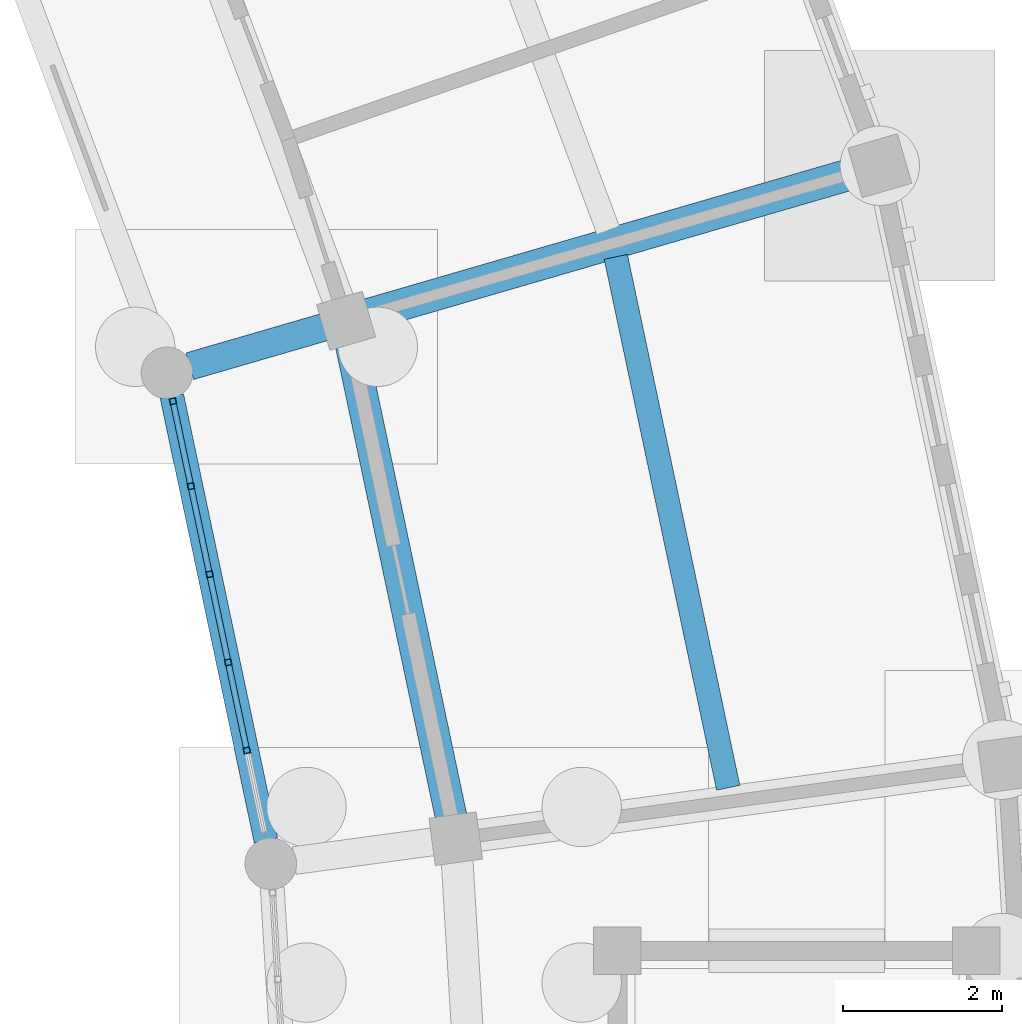
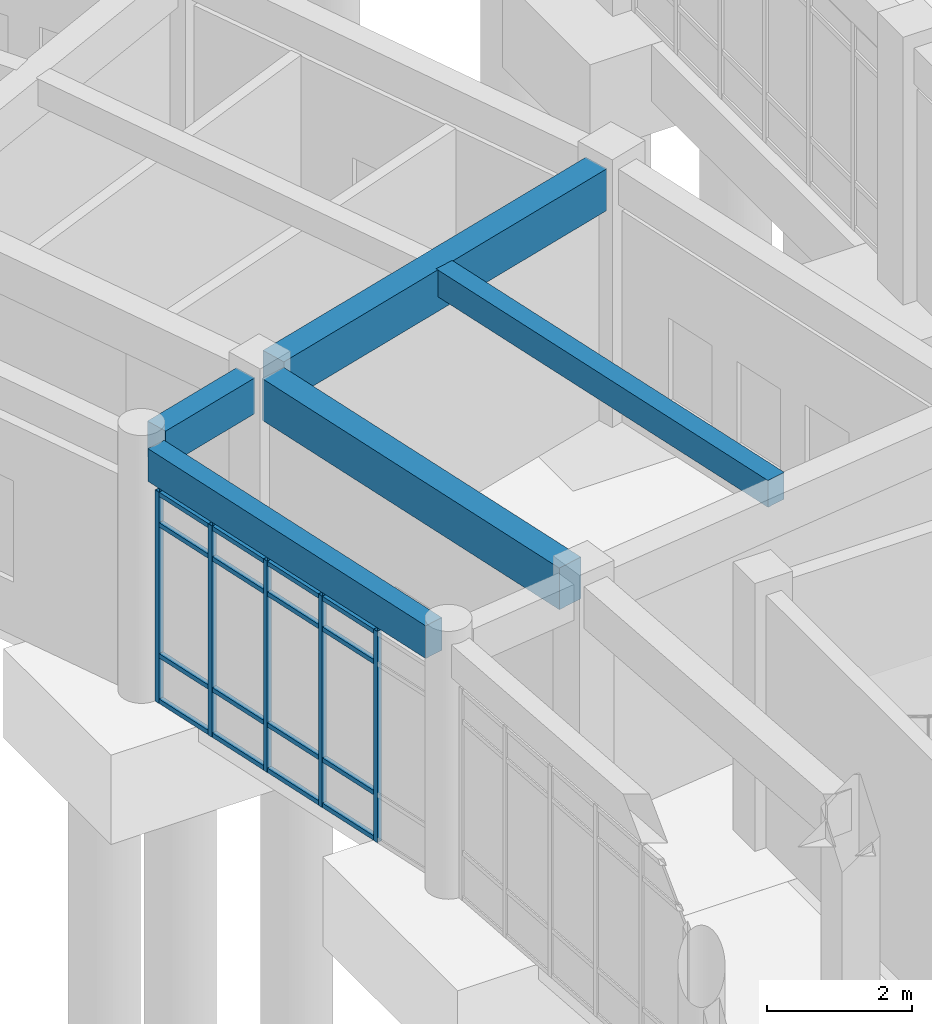
# One storey, part 91 of 153: 21 members, 5 beams, 1 element without a shape of its own.
"""IFC4 building model written with IfcOpenShell, lengths in metres."""

import ifcopenshell
import ifcopenshell.guid

model = None  # the IFC model being written
_history = None  # IfcOwnerHistory: only IFC2X3 demands one
_inside = {}  # id of a spatial element -> (the spatial element, [elements in it])
_under = {}  # id of a project, library or spatial element -> (it, [spatial elements below it])
_declared = {}  # id of a project -> (the project, [libraries it declares])
_typed = {}  # id of a type object -> (the type object, [elements of that type])
_made_of = {}  # id of a material, layer set ... -> (it, [elements and type objects made of it])


def new_model(schema):
    """Start an empty IFC model of exactly this schema.

    Asked for "IFC4X3", IfcOpenShell would pick the latest addendum, in which some entities
    have other attributes; the version numbers below select the first issue.
    IFC2X3 requires an IfcOwnerHistory on every rooted entity: one is made here for all.
    """
    global model, _history
    if schema == "IFC4X3":
        model = ifcopenshell.file(schema_version=(4, 3, 0, 0))
    else:
        model = ifcopenshell.file(schema=schema)
    _inside.clear()
    _under.clear()
    _declared.clear()
    _typed.clear()
    _made_of.clear()
    _history = None
    if model.schema == "IFC2X3":
        org = make("IfcOrganization", Name="unknown")
        user = make(
            "IfcPersonAndOrganization",
            ThePerson=make("IfcPerson", FamilyName="unknown"),
            TheOrganization=org,
        )
        app = make(
            "IfcApplication",
            ApplicationDeveloper=org,
            Version="unknown",
            ApplicationFullName="unknown",
            ApplicationIdentifier="unknown",
        )
        _history = make(
            "IfcOwnerHistory",
            OwningUser=user,
            OwningApplication=app,
            ChangeAction="ADDED",
            CreationDate=0,
        )
    return model


def make(cls, **values):
    """One entity of the class cls with the attributes given. An attribute that is None is left unset."""
    return model.create_entity(
        cls, **{name: value for name, value in values.items() if value is not None}
    )


def rooted(cls, **values):
    """An entity with a GlobalId (a new one), such as an element, a storey or a relation."""
    return make(cls, GlobalId=ifcopenshell.guid.new(), OwnerHistory=_history, **values)


def si_unit(unit_type, name, prefix=None):
    """IfcSIUnit, for example si_unit("LENGTHUNIT", "METRE", prefix="MILLI")."""
    return make("IfcSIUnit", UnitType=unit_type, Prefix=prefix, Name=name)


def assignment(units):
    """IfcUnitAssignment: the units of a project."""
    return None if units is None else make("IfcUnitAssignment", Units=units)


def point(xyz):
    """IfcCartesianPoint."""
    return None if xyz is None else make("IfcCartesianPoint", Coordinates=xyz)


def direction(xyz):
    """IfcDirection."""
    return None if xyz is None else make("IfcDirection", DirectionRatios=xyz)


def frame(location, z_axis=None, x_axis=None):
    """IfcAxis2Placement3D, a coordinate frame: its origin and axes. An axis left out is left unset."""
    return make(
        "IfcAxis2Placement3D",
        Location=point(location),
        Axis=direction(z_axis),
        RefDirection=direction(x_axis),
    )


def frame_2d(location, x_axis=None):
    """IfcAxis2Placement2D, a coordinate frame in the plane: its origin and x axis."""
    return make(
        "IfcAxis2Placement2D", Location=point(location), RefDirection=direction(x_axis)
    )


def origin():
    """The frame at (0, 0, 0) with its axes left unset."""
    return frame((0.0, 0.0, 0.0))


def origin_2d():
    """The frame at (0, 0) in the plane with its x axis left unset."""
    return frame_2d((0.0, 0.0))


def place(relative_to, where):
    """IfcLocalPlacement: puts the frame where relative to a parent placement (None: the world)."""
    return make(
        "IfcLocalPlacement", PlacementRelTo=relative_to, RelativePlacement=where
    )


def context(
    kind, dimensions, precision=None, world=None, true_north=None, identifier=None
):
    """IfcGeometricRepresentationContext, for example the 3D "Model" context."""
    return make(
        "IfcGeometricRepresentationContext",
        ContextIdentifier=identifier,
        ContextType=kind,
        CoordinateSpaceDimension=dimensions,
        Precision=precision,
        WorldCoordinateSystem=world,
        TrueNorth=true_north,
    )


def subcontext(parent, identifier, kind, view, scale=None):
    """IfcGeometricRepresentationSubContext, for example "Body" below "Model"."""
    return make(
        "IfcGeometricRepresentationSubContext",
        ContextIdentifier=identifier,
        ContextType=kind,
        ParentContext=parent,
        TargetScale=scale,
        TargetView=view,
    )


def project(units=None, contexts=None):
    """IfcProject with its units and contexts."""
    return rooted(
        "IfcProject",
        Name="project",
        RepresentationContexts=contexts,
        UnitsInContext=assignment(units),
    )


def spatial(cls, under=None, at=None, **own):
    """A site, building, storey or space (cls), placed at a placement, below another one or the project."""
    s = rooted(cls, ObjectPlacement=at, **own)
    if under is not None:
        _under.setdefault(under.id(), (under, []))[1].append(s)
    return s


def profile(cls, at=None, kind="AREA", **sizes):
    """A parametric profile (cls). Its sizes go by their IFC names, for example OverallWidth=200.0."""
    return make(cls, ProfileType=kind, Position=at, **sizes)


def rectangle(**sizes):
    """IfcRectangleProfileDef."""
    return profile("IfcRectangleProfileDef", **sizes)


def hollow_rectangle(**sizes):
    """IfcRectangleHollowProfileDef."""
    return profile("IfcRectangleHollowProfileDef", **sizes)


def extrude(swept, where, along, depth):
    """IfcExtrudedAreaSolid: the profile swept, set in the frame where, extruded along a direction by depth."""
    return make(
        "IfcExtrudedAreaSolid",
        SweptArea=swept,
        Position=where,
        ExtrudedDirection=direction(along),
        Depth=depth,
    )


def shape(context_of_items, identifier, shape_type, items):
    """IfcShapeRepresentation: the items that make up one representation, for example the "Body"."""
    return make(
        "IfcShapeRepresentation",
        ContextOfItems=context_of_items,
        RepresentationIdentifier=identifier,
        RepresentationType=shape_type,
        Items=items,
    )


def material(Name=None, Category=None):
    """IfcMaterial."""
    return make("IfcMaterial", Name=Name, Category=Category)


def material_profile(
    of_material, cross_section, Name=None, Category=None, Priority=None
):
    """IfcMaterialProfile: a cross section and its material."""
    return make(
        "IfcMaterialProfile",
        Name=Name,
        Material=of_material,
        Profile=cross_section,
        Priority=Priority,
        Category=Category,
    )


def profile_set(profiles, Name=None, composite=None):
    """IfcMaterialProfileSet."""
    return make(
        "IfcMaterialProfileSet",
        Name=Name,
        MaterialProfiles=profiles,
        CompositeProfile=composite,
    )


def made_of(thing, what):
    """Note that an element or type object is made of a material, layer set ...; save() writes the relation."""
    if what is not None:
        _made_of.setdefault(what.id(), (what, []))[1].append(thing)
    return thing


def type_object(cls, material=None, **own):
    """A type object (cls), such as IfcWallType, which elements share."""
    return made_of(rooted(cls, **own), material)


def element(
    cls,
    number,
    at=None,
    inside=None,
    cuts=None,
    type_object=None,
    material=None,
    context=None,
    identifier="Body",
    shape_type=None,
    held_by="IfcProductDefinitionShape",
    body=None,
    shapes=None,
    **own,
):
    """One element of the class cls, such as IfcWall. Its Tag is "e" and its number.

    at: its placement. inside: the storey or other place that contains it. cuts: it is an
    opening in that element (IfcRelVoidsElement). A single representation is given by context,
    identifier, shape_type and body (its items); several are given by shapes. held_by: the class
    of the entity that holds the representations. save() writes the other relations.
    """
    e = rooted(cls, Tag="e%d" % number, ObjectPlacement=at, **own)
    if body is not None:
        shapes = [shape(context, identifier, shape_type, body)]
    if shapes is not None:
        e.Representation = make(held_by, Representations=shapes)
    if inside is not None:
        _inside.setdefault(inside.id(), (inside, []))[1].append(e)
    if cuts is not None:
        rooted(
            "IfcRelVoidsElement", RelatingBuildingElement=cuts, RelatedOpeningElement=e
        )
    if type_object is not None:
        _typed.setdefault(type_object.id(), (type_object, []))[1].append(e)
    return made_of(e, material)


def aggregate(whole, parts):
    """IfcRelAggregates: a whole, such as a stair, and the parts it consists of."""
    return rooted("IfcRelAggregates", RelatingObject=whole, RelatedObjects=parts)


def save(model, path):
    """Write the relations noted so far, then the file.

    IfcRelAggregates (storeys below a building ...), IfcRelContainedInSpatialStructure (elements
    in a storey), IfcRelDefinesByType, IfcRelAssociatesMaterial and IfcRelDeclares: one each for
    every whole, place, type object, material and project.
    """
    for whole, parts in _under.values():
        aggregate(whole, parts)
    for where, things in _inside.values():
        rooted(
            "IfcRelContainedInSpatialStructure",
            RelatedElements=things,
            RelatingStructure=where,
        )
    for kind, things in _typed.values():
        rooted("IfcRelDefinesByType", RelatedObjects=things, RelatingType=kind)
    for what, things in _made_of.values():
        rooted("IfcRelAssociatesMaterial", RelatedObjects=things, RelatingMaterial=what)
    for by, libraries in _declared.values():
        rooted("IfcRelDeclares", RelatingContext=by, RelatedDefinitions=libraries)
    model.write(path)


model = new_model("IFC4")

# Units and contexts
model_context = context("Model", 3, precision=1e-05, world=origin(), true_north=direction((0.0, 1.0)))
body_context = subcontext(model_context, "Body", "Model", "MODEL_VIEW")
ifc_project = project(units=[si_unit("LENGTHUNIT", "METRE"), si_unit("AREAUNIT", "SQUARE_METRE"), si_unit("VOLUMEUNIT", "CUBIC_METRE"), si_unit("PLANEANGLEUNIT", "RADIAN"), si_unit("MASSUNIT", "GRAM", prefix="KILO")], contexts=[model_context])

# Site, building, storey
site_placement = place(None, origin())
site = spatial("IfcSite", under=ifc_project, at=site_placement, CompositionType="ELEMENT")
building_placement = place(site_placement, origin())
building = spatial("IfcBuilding", under=site, at=building_placement, Name="Celadon Cloister-Ring School", CompositionType="ELEMENT")
storey_placement = place(building_placement, origin())
storey = spatial("IfcBuildingStorey", under=building, at=storey_placement, Name="L00", CompositionType="ELEMENT", Elevation=0.0)

# Beam
ifc_material_1 = material(Name="Concrete C35/45", Category="concrete")
ifc_material_profile_1 = material_profile(ifc_material_1, rectangle(XDim=0.35009765625, YDim=0.60009765625, at=origin_2d()), Name="RC350X600")
ifc_profile_set_1 = profile_set([ifc_material_profile_1], Name="Concrete C35/45")
beam_type_1 = type_object("IfcBeamType", Name="BT-02", PredefinedType="BEAM", material=ifc_profile_set_1)
beam_1_placement = place(storey_placement, frame((129.948974609375, 71.47802734375, 3.97998046875), z_axis=(-0.960278457091, -0.279043517836, 0.0), x_axis=(0.279043517836, -0.960278457091, 0.0)))
element("IfcBeam", 1, at=beam_1_placement, inside=storey, type_object=beam_type_1, Name="Beam 0058", PredefinedType="BEAM", context=body_context, shape_type="SweptSolid", body=[
    extrude(rectangle(XDim=0.35009765625, YDim=0.60009765625, at=origin_2d()), origin(), (0.0, 0.0, 1.0), 1.7744140625),
])

# Curtain wall, members
ifc_material_2 = material(Name="Aluminium EN AW-6063 T6", Category="aluminium")
curtain_wall_type = type_object("IfcCurtainWallType", Name="CW-01", PredefinedType="USERDEFINED", material=ifc_material_2)
curtain_wall_placement = place(storey_placement, origin())
curtain_wall = element("IfcCurtainWall", 2, at=curtain_wall_placement, inside=storey, type_object=curtain_wall_type, Name="Curtain Wall 0018", ObjectType="CURTAIN WALL", PredefinedType="USERDEFINED")
ifc_material_3 = material(Name="Aluminium EN AW-6063 T6", Category="aluminium")
ifc_material_profile_2 = material_profile(ifc_material_3, hollow_rectangle(XDim=0.080078125, YDim=0.080078125, WallThickness=0.00390625, at=origin_2d()), Name="RHS80X80X4")
ifc_profile_set_2 = profile_set([ifc_material_profile_2], Name="Aluminium EN AW-6063 T6")
member_type_1 = type_object("IfcMemberType", Name="CM-03", PredefinedType="MULLION", material=ifc_profile_set_2)
member_1_placement = place(storey_placement, frame((128.963134765625, 66.144287109375, 0.0), z_axis=(0.0, 0.0, 1.0), x_axis=(-0.978320844999, -0.207094964304, 0.0)))
member_1 = element("IfcMember", 3, at=member_1_placement, type_object=member_type_1, Name="CW-01 mullion 2", PredefinedType="MULLION", context=body_context, shape_type="SweptSolid", body=[
    extrude(hollow_rectangle(XDim=0.080078125, YDim=0.080078125, WallThickness=0.00390625, at=origin_2d()), origin(), (0.0, 0.0, 1.0), 3.550048828125),
])
member_2_placement = place(storey_placement, frame((128.728515625, 67.25341796875, 0.0), z_axis=(0.0, 0.0, 1.0), x_axis=(-0.978320844999, -0.207094964304, 0.0)))
member_2 = element("IfcMember", 4, at=member_2_placement, type_object=member_type_1, Name="CW-01 mullion 3", PredefinedType="MULLION", context=body_context, shape_type="SweptSolid", body=[
    extrude(hollow_rectangle(XDim=0.080078125, YDim=0.080078125, WallThickness=0.00390625, at=origin_2d()), origin(), (0.0, 0.0, 1.0), 3.550048828125),
])
member_3_placement = place(storey_placement, frame((128.49365234375, 68.362548828125, 0.0), z_axis=(0.0, 0.0, 1.0), x_axis=(-0.978320844999, -0.207094964304, 0.0)))
member_3 = element("IfcMember", 5, at=member_3_placement, type_object=member_type_1, Name="CW-01 mullion 4", PredefinedType="MULLION", context=body_context, shape_type="SweptSolid", body=[
    extrude(hollow_rectangle(XDim=0.080078125, YDim=0.080078125, WallThickness=0.00390625, at=origin_2d()), origin(), (0.0, 0.0, 1.0), 3.550048828125),
])
member_4_placement = place(storey_placement, frame((128.2587890625, 69.4716796875, 0.0), z_axis=(0.0, 0.0, 1.0), x_axis=(-0.978320844999, -0.207094964304, 0.0)))
member_4 = element("IfcMember", 6, at=member_4_placement, type_object=member_type_1, Name="CW-01 mullion 5", PredefinedType="MULLION", context=body_context, shape_type="SweptSolid", body=[
    extrude(hollow_rectangle(XDim=0.080078125, YDim=0.080078125, WallThickness=0.00390625, at=origin_2d()), origin(), (0.0, 0.0, 1.0), 3.550048828125),
])
member_5_placement = place(storey_placement, frame((128.0322265625, 70.541748046875, 0.0), z_axis=(0.0, 0.0, 1.0), x_axis=(-0.978320844999, -0.207094964304, 0.0)))
member_5 = element("IfcMember", 7, at=member_5_placement, type_object=member_type_1, Name="CW-01 mullion 6", PredefinedType="MULLION", context=body_context, shape_type="SweptSolid", body=[
    extrude(hollow_rectangle(XDim=0.080078125, YDim=0.080078125, WallThickness=0.00390625, at=origin_2d()), origin(), (0.0, 0.0, 1.0), 3.550048828125),
])
ifc_material_4 = material(Name="Aluminium EN AW-6063 T6", Category="aluminium")
ifc_material_profile_3 = material_profile(ifc_material_4, hollow_rectangle(XDim=0.074951171875, YDim=0.074951171875, WallThickness=0.00390625, at=origin_2d()), Name="RHS75X75X4")
ifc_profile_set_3 = profile_set([ifc_material_profile_3], Name="Aluminium EN AW-6063 T6")
member_type_2 = type_object("IfcMemberType", Name="CTM-03", PredefinedType="USERDEFINED", material=ifc_profile_set_3)
member_6_placement = place(storey_placement, frame((128.954833984375, 66.183349609375, 0.03759765625), z_axis=(-0.207107837816, 0.978318119793, 0.0), x_axis=(-0.978318119793, -0.207107837816, 0.0)))
member_6 = element("IfcMember", 8, at=member_6_placement, type_object=member_type_2, Name="CW-01 transom 2.1", ObjectType="TRANSOM", PredefinedType="USERDEFINED", context=body_context, shape_type="SweptSolid", body=[
    extrude(hollow_rectangle(XDim=0.074951171875, YDim=0.074951171875, WallThickness=0.00390625, at=origin_2d()), origin(), (0.0, 0.0, 1.0), 1.053955078125),
])
member_7_placement = place(storey_placement, frame((128.954833984375, 66.183349609375, 0.800048828125), z_axis=(-0.207107837816, 0.978318119793, 0.0), x_axis=(-0.978318119793, -0.207107837816, 0.0)))
member_7 = element("IfcMember", 9, at=member_7_placement, type_object=member_type_2, Name="CW-01 transom 2.2", ObjectType="TRANSOM", PredefinedType="USERDEFINED", context=body_context, shape_type="SweptSolid", body=[
    extrude(hollow_rectangle(XDim=0.074951171875, YDim=0.074951171875, WallThickness=0.00390625, at=origin_2d()), origin(), (0.0, 0.0, 1.0), 1.053955078125),
])
member_8_placement = place(storey_placement, frame((128.954833984375, 66.183349609375, 3.0), z_axis=(-0.207107837816, 0.978318119793, 0.0), x_axis=(-0.978318119793, -0.207107837816, 0.0)))
member_8 = element("IfcMember", 10, at=member_8_placement, type_object=member_type_2, Name="CW-01 transom 2.3", ObjectType="TRANSOM", PredefinedType="USERDEFINED", context=body_context, shape_type="SweptSolid", body=[
    extrude(hollow_rectangle(XDim=0.074951171875, YDim=0.074951171875, WallThickness=0.00390625, at=origin_2d()), origin(), (0.0, 0.0, 1.0), 1.053955078125),
])
member_9_placement = place(storey_placement, frame((128.954833984375, 66.183349609375, 3.512451171875), z_axis=(-0.207107837816, 0.978318119793, 0.0), x_axis=(-0.978318119793, -0.207107837816, 0.0)))
member_9 = element("IfcMember", 11, at=member_9_placement, type_object=member_type_2, Name="CW-01 transom 2.4", ObjectType="TRANSOM", PredefinedType="USERDEFINED", context=body_context, shape_type="SweptSolid", body=[
    extrude(hollow_rectangle(XDim=0.074951171875, YDim=0.074951171875, WallThickness=0.00390625, at=origin_2d()), origin(), (0.0, 0.0, 1.0), 1.053955078125),
])
member_10_placement = place(storey_placement, frame((128.72021484375, 67.29248046875, 0.03759765625), z_axis=(-0.207107837816, 0.978318119793, 0.0), x_axis=(-0.978318119793, -0.207107837816, 0.0)))
member_10 = element("IfcMember", 12, at=member_10_placement, type_object=member_type_2, Name="CW-01 transom 3.1", ObjectType="TRANSOM", PredefinedType="USERDEFINED", context=body_context, shape_type="SweptSolid", body=[
    extrude(hollow_rectangle(XDim=0.074951171875, YDim=0.074951171875, WallThickness=0.00390625, at=origin_2d()), origin(), (0.0, 0.0, 1.0), 1.053955078125),
])
member_11_placement = place(storey_placement, frame((128.72021484375, 67.29248046875, 0.800048828125), z_axis=(-0.207107837816, 0.978318119793, 0.0), x_axis=(-0.978318119793, -0.207107837816, 0.0)))
member_11 = element("IfcMember", 13, at=member_11_placement, type_object=member_type_2, Name="CW-01 transom 3.2", ObjectType="TRANSOM", PredefinedType="USERDEFINED", context=body_context, shape_type="SweptSolid", body=[
    extrude(hollow_rectangle(XDim=0.074951171875, YDim=0.074951171875, WallThickness=0.00390625, at=origin_2d()), origin(), (0.0, 0.0, 1.0), 1.053955078125),
])
member_12_placement = place(storey_placement, frame((128.72021484375, 67.29248046875, 3.0), z_axis=(-0.207107837816, 0.978318119793, 0.0), x_axis=(-0.978318119793, -0.207107837816, 0.0)))
member_12 = element("IfcMember", 14, at=member_12_placement, type_object=member_type_2, Name="CW-01 transom 3.3", ObjectType="TRANSOM", PredefinedType="USERDEFINED", context=body_context, shape_type="SweptSolid", body=[
    extrude(hollow_rectangle(XDim=0.074951171875, YDim=0.074951171875, WallThickness=0.00390625, at=origin_2d()), origin(), (0.0, 0.0, 1.0), 1.053955078125),
])
member_13_placement = place(storey_placement, frame((128.72021484375, 67.29248046875, 3.512451171875), z_axis=(-0.207107837816, 0.978318119793, 0.0), x_axis=(-0.978318119793, -0.207107837816, 0.0)))
member_13 = element("IfcMember", 15, at=member_13_placement, type_object=member_type_2, Name="CW-01 transom 3.4", ObjectType="TRANSOM", PredefinedType="USERDEFINED", context=body_context, shape_type="SweptSolid", body=[
    extrude(hollow_rectangle(XDim=0.074951171875, YDim=0.074951171875, WallThickness=0.00390625, at=origin_2d()), origin(), (0.0, 0.0, 1.0), 1.053955078125),
])
member_14_placement = place(storey_placement, frame((128.4853515625, 68.401611328125, 0.03759765625), z_axis=(-0.207107837816, 0.978318119793, 0.0), x_axis=(-0.978318119793, -0.207107837816, 0.0)))
member_14 = element("IfcMember", 16, at=member_14_placement, type_object=member_type_2, Name="CW-01 transom 4.1", ObjectType="TRANSOM", PredefinedType="USERDEFINED", context=body_context, shape_type="SweptSolid", body=[
    extrude(hollow_rectangle(XDim=0.074951171875, YDim=0.074951171875, WallThickness=0.00390625, at=origin_2d()), origin(), (0.0, 0.0, 1.0), 1.053955078125),
])
member_15_placement = place(storey_placement, frame((128.4853515625, 68.401611328125, 0.800048828125), z_axis=(-0.207107837816, 0.978318119793, 0.0), x_axis=(-0.978318119793, -0.207107837816, 0.0)))
member_15 = element("IfcMember", 17, at=member_15_placement, type_object=member_type_2, Name="CW-01 transom 4.2", ObjectType="TRANSOM", PredefinedType="USERDEFINED", context=body_context, shape_type="SweptSolid", body=[
    extrude(hollow_rectangle(XDim=0.074951171875, YDim=0.074951171875, WallThickness=0.00390625, at=origin_2d()), origin(), (0.0, 0.0, 1.0), 1.053955078125),
])
member_16_placement = place(storey_placement, frame((128.4853515625, 68.401611328125, 3.0), z_axis=(-0.207107837816, 0.978318119793, 0.0), x_axis=(-0.978318119793, -0.207107837816, 0.0)))
member_16 = element("IfcMember", 18, at=member_16_placement, type_object=member_type_2, Name="CW-01 transom 4.3", ObjectType="TRANSOM", PredefinedType="USERDEFINED", context=body_context, shape_type="SweptSolid", body=[
    extrude(hollow_rectangle(XDim=0.074951171875, YDim=0.074951171875, WallThickness=0.00390625, at=origin_2d()), origin(), (0.0, 0.0, 1.0), 1.053955078125),
])
member_17_placement = place(storey_placement, frame((128.4853515625, 68.401611328125, 3.512451171875), z_axis=(-0.207107837816, 0.978318119793, 0.0), x_axis=(-0.978318119793, -0.207107837816, 0.0)))
member_17 = element("IfcMember", 19, at=member_17_placement, type_object=member_type_2, Name="CW-01 transom 4.4", ObjectType="TRANSOM", PredefinedType="USERDEFINED", context=body_context, shape_type="SweptSolid", body=[
    extrude(hollow_rectangle(XDim=0.074951171875, YDim=0.074951171875, WallThickness=0.00390625, at=origin_2d()), origin(), (0.0, 0.0, 1.0), 1.053955078125),
])
member_18_placement = place(storey_placement, frame((128.25048828125, 69.510986328125, 0.03759765625), z_axis=(-0.20712705188, 0.97831405202, 0.0), x_axis=(-0.97831405202, -0.20712705188, 0.0)))
member_18 = element("IfcMember", 20, at=member_18_placement, type_object=member_type_2, Name="CW-01 transom 5.1", ObjectType="TRANSOM", PredefinedType="USERDEFINED", context=body_context, shape_type="SweptSolid", body=[
    extrude(hollow_rectangle(XDim=0.074951171875, YDim=0.074951171875, WallThickness=0.00390625, at=origin_2d()), origin(), (0.0, 0.0, 1.0), 1.013671875),
])
member_19_placement = place(storey_placement, frame((128.25048828125, 69.510986328125, 0.800048828125), z_axis=(-0.20712705188, 0.97831405202, 0.0), x_axis=(-0.97831405202, -0.20712705188, 0.0)))
member_19 = element("IfcMember", 21, at=member_19_placement, type_object=member_type_2, Name="CW-01 transom 5.2", ObjectType="TRANSOM", PredefinedType="USERDEFINED", context=body_context, shape_type="SweptSolid", body=[
    extrude(hollow_rectangle(XDim=0.074951171875, YDim=0.074951171875, WallThickness=0.00390625, at=origin_2d()), origin(), (0.0, 0.0, 1.0), 1.013671875),
])
member_20_placement = place(storey_placement, frame((128.25048828125, 69.510986328125, 3.0), z_axis=(-0.20712705188, 0.97831405202, 0.0), x_axis=(-0.97831405202, -0.20712705188, 0.0)))
member_20 = element("IfcMember", 22, at=member_20_placement, type_object=member_type_2, Name="CW-01 transom 5.3", ObjectType="TRANSOM", PredefinedType="USERDEFINED", context=body_context, shape_type="SweptSolid", body=[
    extrude(hollow_rectangle(XDim=0.074951171875, YDim=0.074951171875, WallThickness=0.00390625, at=origin_2d()), origin(), (0.0, 0.0, 1.0), 1.013671875),
])
member_21_placement = place(storey_placement, frame((128.25048828125, 69.510986328125, 3.512451171875), z_axis=(-0.20712705188, 0.97831405202, 0.0), x_axis=(-0.97831405202, -0.20712705188, 0.0)))
member_21 = element("IfcMember", 23, at=member_21_placement, type_object=member_type_2, Name="CW-01 transom 5.4", ObjectType="TRANSOM", PredefinedType="USERDEFINED", context=body_context, shape_type="SweptSolid", body=[
    extrude(hollow_rectangle(XDim=0.074951171875, YDim=0.074951171875, WallThickness=0.00390625, at=origin_2d()), origin(), (0.0, 0.0, 1.0), 1.013671875),
])
aggregate(curtain_wall, [member_1, member_2, member_3, member_4, member_5, member_6, member_7, member_8, member_9, member_10, member_11, member_12, member_13, member_14, member_15, member_16, member_17, member_18, member_19, member_20, member_21])

# Beams
ifc_material_5 = material(Name="Concrete C35/45", Category="concrete")
ifc_material_profile_4 = material_profile(ifc_material_5, rectangle(XDim=0.39990234375, YDim=0.699951171875, at=origin_2d()), Name="RC400X700")
ifc_profile_set_4 = profile_set([ifc_material_profile_4], Name="Concrete C35/45")
beam_type_2 = type_object("IfcBeamType", Name="GT-03", PredefinedType="USERDEFINED", material=ifc_profile_set_4)
beam_2_placement = place(storey_placement, frame((136.64697265625, 73.424072265625, 3.929931640625), z_axis=(-0.960316025972, -0.278914198743, 0.0), x_axis=(0.278914198743, -0.960316025972, 0.0)))
element("IfcBeam", 24, at=beam_2_placement, inside=storey, type_object=beam_type_2, Name="Beam 0057", ObjectType="GIRDER", PredefinedType="USERDEFINED", context=body_context, shape_type="SweptSolid", body=[
    extrude(rectangle(XDim=0.39990234375, YDim=0.699951171875, at=origin_2d()), origin(), (0.0, 0.0, 1.0), 6.4248046875),
])
beam_3_placement = place(storey_placement, frame((131.537109375, 65.301025390625, 3.929931640625), z_axis=(-0.207124607017, 0.978314569639, 0.0), x_axis=(-0.978314569639, -0.207124607017, 0.0)))
element("IfcBeam", 25, at=beam_3_placement, inside=storey, type_object=beam_type_2, Name="Beam 0176", ObjectType="GIRDER", PredefinedType="USERDEFINED", context=body_context, shape_type="SweptSolid", body=[
    extrude(rectangle(XDim=0.39990234375, YDim=0.699951171875, at=origin_2d()), origin(), (0.0, 0.0, 1.0), 6.117431640625),
])
ifc_material_6 = material(Name="Concrete C35/45", Category="concrete")
ifc_material_profile_5 = material_profile(ifc_material_6, rectangle(XDim=0.300048828125, YDim=0.449951171875, at=origin_2d()), Name="RC300X450")
ifc_profile_set_5 = profile_set([ifc_material_profile_5], Name="Concrete C35/45")
beam_type_3 = type_object("IfcBeamType", Name="JT-01", PredefinedType="JOIST", material=ifc_profile_set_5)
beam_4_placement = place(storey_placement, frame((135.02587890625, 65.673095703125, 4.054931640625), z_axis=(-0.20712821328, 0.978313806129, 0.0), x_axis=(-0.978313806129, -0.20712821328, 0.0)))
element("IfcBeam", 26, at=beam_4_placement, inside=storey, type_object=beam_type_3, Name="Beam 0178", PredefinedType="JOIST", context=body_context, shape_type="SweptSolid", body=[
    extrude(rectangle(XDim=0.300048828125, YDim=0.449951171875, at=origin_2d()), origin(), (0.0, 0.0, 1.0), 6.835205078125),
])
ifc_material_7 = material(Name="Concrete C35/45", Category="concrete")
ifc_material_profile_6 = material_profile(ifc_material_7, rectangle(XDim=0.300048828125, YDim=0.550048828125, at=origin_2d()), Name="RC300X550")
ifc_profile_set_6 = profile_set([ifc_material_profile_6], Name="Concrete C35/45")
beam_type_4 = type_object("IfcBeamType", Name="SP-02", PredefinedType="SPANDREL", material=ifc_profile_set_6)
beam_5_placement = place(storey_placement, frame((129.202880859375, 65.010986328125, 4.0048828125), z_axis=(-0.207041113991, 0.978332242706, 0.0), x_axis=(-0.978332242706, -0.207041113991, 0.0)))
element("IfcBeam", 27, at=beam_5_placement, inside=storey, type_object=beam_type_4, Name="Beam 0177", PredefinedType="SPANDREL", context=body_context, shape_type="SweptSolid", body=[
    extrude(rectangle(XDim=0.300048828125, YDim=0.550048828125, at=origin_2d()), origin(), (0.0, 0.0, 1.0), 5.7177734375),
])

save(model, "model.ifc")
